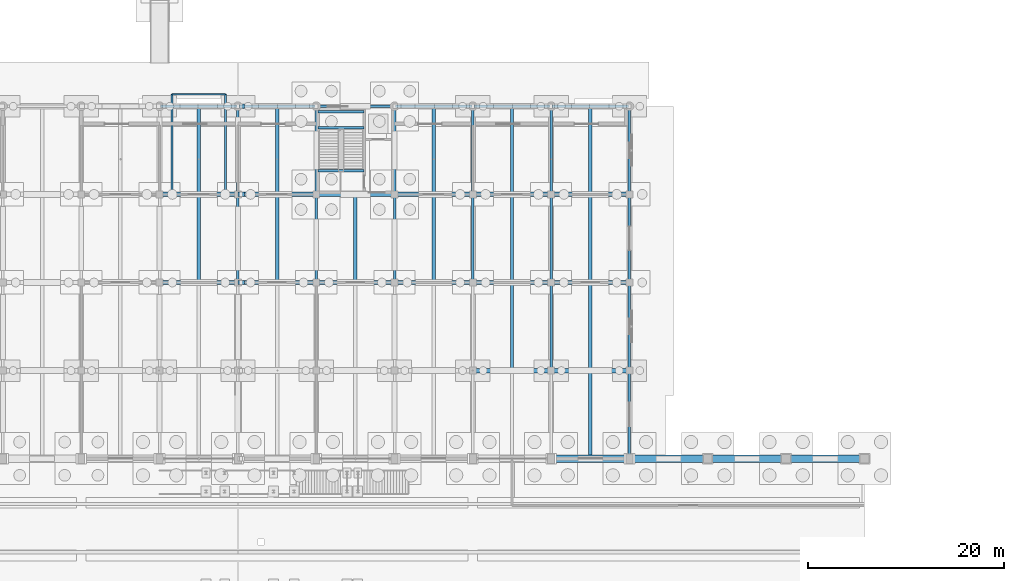
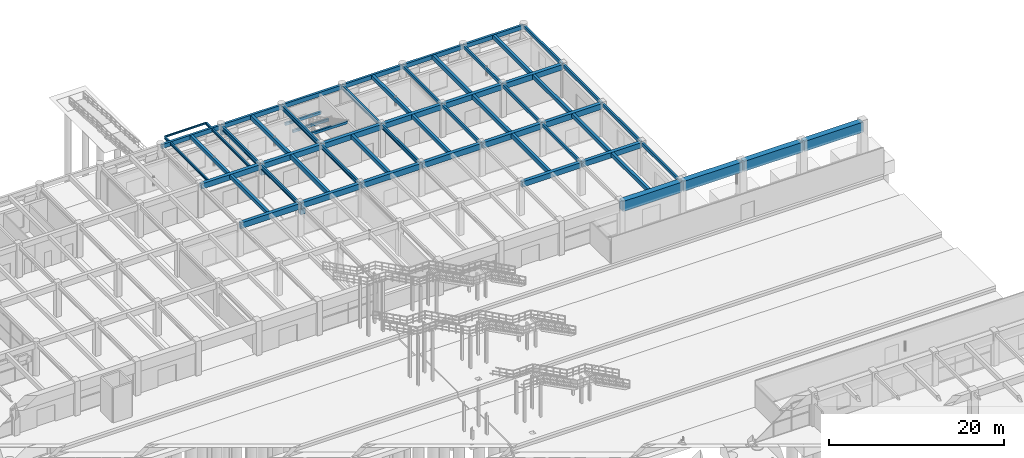
# One storey, part 90 of 147: 62 beams.
"""IFC4 building model written with IfcOpenShell, lengths in metres."""

from ifc_helpers import new_model, si_unit, direction, frame, origin, origin_2d, place, context, subcontext, project, spatial, rectangle, i_section, extrude, material, material_profile, profile_set, type_object, element, save


model = new_model("IFC4")

# Units and contexts
model_context = context("Model", 3, precision=1e-05, world=origin(), true_north=direction((0.0, 1.0)))
body_context = subcontext(model_context, "Body", "Model", "MODEL_VIEW")
ifc_project = project(units=[si_unit("LENGTHUNIT", "METRE"), si_unit("AREAUNIT", "SQUARE_METRE"), si_unit("VOLUMEUNIT", "CUBIC_METRE"), si_unit("PLANEANGLEUNIT", "RADIAN"), si_unit("MASSUNIT", "GRAM", prefix="KILO")], contexts=[model_context])

# Site, building, storey
site_placement = place(None, origin())
site = spatial("IfcSite", under=ifc_project, at=site_placement, CompositionType="ELEMENT")
building_placement = place(site_placement, origin())
building = spatial("IfcBuilding", under=site, at=building_placement, Name="Varnabhumi Central Station", CompositionType="ELEMENT")
storey_placement = place(building_placement, origin())
storey = spatial("IfcBuildingStorey", under=building, at=storey_placement, Name="L00", CompositionType="ELEMENT", Elevation=0.0)

# Beams
ifc_material_1 = material(Name="Structural steel E350", Category="steel")
ifc_material_profile_1 = material_profile(ifc_material_1, i_section(OverallWidth=0.125, OverallDepth=0.25, WebThickness=0.0068359375, FlangeThickness=0.012451171875, FilletRadius=0.012939453125, at=origin_2d()), Name="Structural steel E350", Category="steel")
ifc_profile_set_1 = profile_set([ifc_material_profile_1], Name="Structural steel E350")
beam_type_1 = type_object("IfcBeamType", Name="BM-PUR-ISMB250", PredefinedType="JOIST", material=ifc_profile_set_1)
beam_1_placement = place(storey_placement, frame((113.25, 117.219970703125, 4.425048828125), z_axis=(1.0, 0.0, 0.0), x_axis=(0.0, 1.0, 0.0)))
element("IfcBeam", 1, at=beam_1_placement, inside=storey, type_object=beam_type_1, Name="Spanish Balcony Fascia Beam L01-8", PredefinedType="JOIST", context=body_context, shape_type="SweptSolid", body=[
    extrude(i_section(OverallWidth=0.125, OverallDepth=0.25, WebThickness=0.0068359375, FlangeThickness=0.012451171875, FilletRadius=0.012939453125, at=origin_2d()), origin(), (0.0, 0.0, 1.0), 5.5),
])
ifc_material_2 = material(Name="Concrete M50", Category="concrete")
ifc_material_profile_2 = material_profile(ifc_material_2, rectangle(XDim=0.75, YDim=1.39990234375, at=origin_2d()), Name="Concrete M50", Category="concrete")
ifc_profile_set_2 = profile_set([ifc_material_profile_2], Name="Concrete M50")
beam_type_2 = type_object("IfcBeamType", Name="BM-RC-1400x750", PredefinedType="BEAM", material=ifc_profile_set_2)
for number, where, z_axis, x_axis, name in (
    (2, (152.10009765625, 80.0, 3.85009765625), (1.0, 0.0, 0.0), (0.0, 1.0, 0.0), "Beam L00-K:20-21"),
    (3, (160.10009765625, 80.0, 3.85009765625), (1.0, 0.0, 0.0), (0.0, 1.0, 0.0), "Beam L00-K:21-22"),
    (4, (168.10009765625, 80.0, 3.85009765625), (1.0, 0.0, 0.0), (0.0, 1.0, 0.0), "Beam L00-K:22-23"),
    (5, (176.10009765625, 80.0, 3.85009765625), (1.0, 0.0, 0.0), (0.0, 1.0, 0.0), "Beam L00-K:23-24"),
):
    element("IfcBeam", number, at=place(storey_placement, frame(where, z_axis=z_axis, x_axis=x_axis)), inside=storey, type_object=beam_type_2, Name=name, PredefinedType="BEAM", context=body_context, shape_type="SweptSolid", body=[
        extrude(rectangle(XDim=0.75, YDim=1.39990234375, at=origin_2d()), origin(), (0.0, 0.0, 1.0), 7.7998046875),
    ])
ifc_material_3 = material(Name="Concrete M35", Category="concrete")
ifc_material_profile_3 = material_profile(ifc_material_3, rectangle(XDim=0.25, YDim=0.35009765625, at=origin_2d()), Name="Concrete M35", Category="concrete")
ifc_profile_set_3 = profile_set([ifc_material_profile_3], Name="Concrete M35")
beam_type_3 = type_object("IfcBeamType", Name="BM-RC-250x350", PredefinedType="LINTEL", material=ifc_profile_set_3)
for number, where, z_axis, x_axis, name in (
    (6, (128.179931640625, 113.794921875, 2.044921875), (1.0, 0.0, 0.0), (0.0, 1.0, 0.0), "ST-N3 L00 Half Landing Support Beam 1"),
    (7, (128.179931640625, 115.4599609375, 2.044921875), (1.0, 0.0, 0.0), (0.0, 1.0, 0.0), "ST-N3 L00 Half Landing Support Beam 2"),
    (8, (128.179931640625, 109.419921875, 4.375), (1.0, 0.0, 0.0), (0.0, 1.0, 0.0), "ST-N3 L00 Floor Opening Trimmer Beam"),
):
    element("IfcBeam", number, at=place(storey_placement, frame(where, z_axis=z_axis, x_axis=x_axis)), inside=storey, type_object=beam_type_3, Name=name, PredefinedType="LINTEL", context=body_context, shape_type="SweptSolid", body=[
        extrude(rectangle(XDim=0.25, YDim=0.35009765625, at=origin_2d()), origin(), (0.0, 0.0, 1.0), 4.719970703125),
    ])
ifc_material_profile_4 = material_profile(ifc_material_3, rectangle(XDim=0.25, YDim=0.449951171875, at=origin_2d()), Name="Concrete M35", Category="concrete")
ifc_profile_set_4 = profile_set([ifc_material_profile_4], Name="Concrete M35")
beam_type_4 = type_object("IfcBeamType", Name="BM-RC-250x450", PredefinedType="LINTEL", material=ifc_profile_set_4)
for number, where, z_axis, x_axis, name in (
    (9, (160.0, 80.10009765625, 4.324951171875), (0.0, 1.0, 0.0), (-1.0, 0.0, 0.0), "Beam L00-21:K-L"),
    (10, (152.0, 89.10009765625, 4.324951171875), (0.0, 1.0, 0.0), (-1.0, 0.0, 0.0), "Beam L00-20:L-M"),
    (11, (160.0, 89.10009765625, 4.324951171875), (0.0, 1.0, 0.0), (-1.0, 0.0, 0.0), "Beam L00-21:L-M"),
    (12, (144.0, 98.10009765625, 4.324951171875), (0.0, 1.0, 0.0), (-1.0, 0.0, 0.0), "Beam L00-19:M-N"),
    (13, (152.0, 98.10009765625, 4.324951171875), (0.0, 1.0, 0.0), (-1.0, 0.0, 0.0), "Beam L00-20:M-N"),
    (14, (160.0, 98.10009765625, 4.324951171875), (0.0, 1.0, 0.0), (-1.0, 0.0, 0.0), "Beam L00-21:M-N"),
    (15, (144.0, 107.10009765625, 4.324951171875), (0.0, 1.0, 0.0), (-1.0, 0.0, 0.0), "Beam L00-19:N-P"),
    (16, (152.0, 107.10009765625, 4.324951171875), (0.0, 1.0, 0.0), (-1.0, 0.0, 0.0), "Beam L00-20:N-P"),
    (17, (160.0, 107.10009765625, 4.324951171875), (0.0, 1.0, 0.0), (-1.0, 0.0, 0.0), "Beam L00-21:N-P"),
):
    element("IfcBeam", number, at=place(storey_placement, frame(where, z_axis=z_axis, x_axis=x_axis)), inside=storey, type_object=beam_type_4, Name=name, PredefinedType="LINTEL", context=body_context, shape_type="SweptSolid", body=[
        extrude(rectangle(XDim=0.25, YDim=0.449951171875, at=origin_2d()), origin(), (0.0, 0.0, 1.0), 8.7998046875),
    ])
ifc_material_4 = material(Name="Concrete M40", Category="concrete")
ifc_material_profile_5 = material_profile(ifc_material_4, rectangle(XDim=0.300048828125, YDim=0.60009765625, at=origin_2d()), Name="Concrete M40", Category="concrete")
ifc_profile_set_5 = profile_set([ifc_material_profile_5], Name="Concrete M40")
beam_type_5 = type_object("IfcBeamType", Name="BM-RC-300x600", PredefinedType="SPANDREL", material=ifc_profile_set_5)
for number, where, z_axis, x_axis, name in (
    (18, (112.10009765625, 116.0, 4.25), (1.0, 0.0, 0.0), (0.0, 1.0, 0.0), "Beam L00-P:15-16"),
    (19, (120.10009765625, 116.0, 4.25), (1.0, 0.0, 0.0), (0.0, 1.0, 0.0), "Beam L00-P:16-17"),
    (20, (128.10009765625, 116.0, 4.25), (1.0, 0.0, 0.0), (0.0, 1.0, 0.0), "Beam L00-P:17-18"),
    (21, (136.10009765625, 116.0, 4.25), (1.0, 0.0, 0.0), (0.0, 1.0, 0.0), "Beam L00-P:18-19"),
    (22, (144.10009765625, 116.0, 4.25), (1.0, 0.0, 0.0), (0.0, 1.0, 0.0), "Beam L00-P:19-20"),
    (23, (152.10009765625, 116.0, 4.25), (1.0, 0.0, 0.0), (0.0, 1.0, 0.0), "Beam L00-P:20-21"),
):
    element("IfcBeam", number, at=place(storey_placement, frame(where, z_axis=z_axis, x_axis=x_axis)), inside=storey, type_object=beam_type_5, Name=name, PredefinedType="SPANDREL", context=body_context, shape_type="SweptSolid", body=[
        extrude(rectangle(XDim=0.300048828125, YDim=0.60009765625, at=origin_2d()), origin(), (0.0, 0.0, 1.0), 7.7998046875),
    ])
ifc_material_profile_6 = material_profile(ifc_material_4, rectangle(XDim=0.35009765625, YDim=0.5, at=origin_2d()), Name="Concrete M40", Category="concrete")
ifc_profile_set_6 = profile_set([ifc_material_profile_6], Name="Concrete M40")
beam_type_6 = type_object("IfcBeamType", Name="BM-RC-350x500", PredefinedType="JOIST", material=ifc_profile_set_6)
for number, where, z_axis, x_axis, name in (
    (24, (116.0, 98.22509765625, 4.300048828125), (0.0, 1.0, 0.0), (-1.0, 0.0, 0.0), "Secondary Joist L00-15/16:M-N"),
    (25, (140.0, 98.22509765625, 4.300048828125), (0.0, 1.0, 0.0), (-1.0, 0.0, 0.0), "Secondary Joist L00-18/19:M-N"),
):
    element("IfcBeam", number, at=place(storey_placement, frame(where, z_axis=z_axis, x_axis=x_axis)), inside=storey, type_object=beam_type_6, Name=name, PredefinedType="JOIST", context=body_context, shape_type="SweptSolid", body=[
        extrude(rectangle(XDim=0.35009765625, YDim=0.5, at=origin_2d()), origin(), (0.0, 0.0, 1.0), 8.5498046875),
    ])
for number, where, z_axis, x_axis, name in (
    (26, (116.0, 107.22509765625, 4.300048828125), (0.0, 1.0, 0.0), (-1.0, 0.0, 0.0), "Secondary Joist L00-15/16:N-P"),
    (27, (140.0, 107.22509765625, 4.300048828125), (0.0, 1.0, 0.0), (-1.0, 0.0, 0.0), "Secondary Joist L00-18/19:N-P"),
):
    element("IfcBeam", number, at=place(storey_placement, frame(where, z_axis=z_axis, x_axis=x_axis)), inside=storey, type_object=beam_type_6, Name=name, PredefinedType="JOIST", context=body_context, shape_type="SweptSolid", body=[
        extrude(rectangle(XDim=0.35009765625, YDim=0.5, at=origin_2d()), origin(), (0.0, 0.0, 1.0), 8.625),
    ])
ifc_material_profile_7 = material_profile(ifc_material_4, rectangle(XDim=0.35009765625, YDim=0.550048828125, at=origin_2d()), Name="Concrete M40", Category="concrete")
ifc_profile_set_7 = profile_set([ifc_material_profile_7], Name="Concrete M40")
beam_type_7 = type_object("IfcBeamType", Name="BM-RC-350x550", PredefinedType="JOIST", material=ifc_profile_set_7)
beam_2_placement = place(storey_placement, frame((156.0, 80.375, 4.27490234375), z_axis=(0.0, 1.0, 0.0), x_axis=(-1.0, 0.0, 0.0)))
element("IfcBeam", 28, at=beam_2_placement, inside=storey, type_object=beam_type_7, Name="Secondary Joist L00-20/21:K-L", PredefinedType="JOIST", context=body_context, shape_type="SweptSolid", body=[
    extrude(rectangle(XDim=0.35009765625, YDim=0.550048828125, at=origin_2d()), origin(), (0.0, 0.0, 1.0), 8.39990234375),
])
for number, where, z_axis, x_axis, name in (
    (29, (156.0, 89.22509765625, 4.27490234375), (0.0, 1.0, 0.0), (-1.0, 0.0, 0.0), "Secondary Joist L00-20/21:L-M"),
    (30, (132.0, 98.22509765625, 4.27490234375), (0.0, 1.0, 0.0), (-1.0, 0.0, 0.0), "Secondary Joist L00-17/18:M-N"),
    (31, (156.0, 98.22509765625, 4.27490234375), (0.0, 1.0, 0.0), (-1.0, 0.0, 0.0), "Secondary Joist L00-20/21:M-N"),
):
    element("IfcBeam", number, at=place(storey_placement, frame(where, z_axis=z_axis, x_axis=x_axis)), inside=storey, type_object=beam_type_7, Name=name, PredefinedType="JOIST", context=body_context, shape_type="SweptSolid", body=[
        extrude(rectangle(XDim=0.35009765625, YDim=0.550048828125, at=origin_2d()), origin(), (0.0, 0.0, 1.0), 8.5498046875),
    ])
beam_3_placement = place(storey_placement, frame((156.0, 107.22509765625, 4.27490234375), z_axis=(0.0, 1.0, 0.0), x_axis=(-1.0, 0.0, 0.0)))
element("IfcBeam", 32, at=beam_3_placement, inside=storey, type_object=beam_type_7, Name="Secondary Joist L00-20/21:N-P", PredefinedType="JOIST", context=body_context, shape_type="SweptSolid", body=[
    extrude(rectangle(XDim=0.35009765625, YDim=0.550048828125, at=origin_2d()), origin(), (0.0, 0.0, 1.0), 8.625),
])
ifc_material_profile_8 = material_profile(ifc_material_4, rectangle(XDim=0.449951171875, YDim=0.75, at=origin_2d()), Name="Concrete M40", Category="concrete")
ifc_profile_set_8 = profile_set([ifc_material_profile_8], Name="Concrete M40")
beam_type_8 = type_object("IfcBeamType", Name="BM-RC-450x750", PredefinedType="BEAM", material=ifc_profile_set_8)
beam_4_placement = place(storey_placement, frame((112.10009765625, 107.0, 4.175048828125), z_axis=(1.0, 0.0, 0.0), x_axis=(0.0, 1.0, 0.0)))
element("IfcBeam", 33, at=beam_4_placement, inside=storey, type_object=beam_type_8, Name="Beam L00-N:15-16", PredefinedType="BEAM", context=body_context, shape_type="SweptSolid", body=[
    extrude(rectangle(XDim=0.449951171875, YDim=0.75, at=origin_2d()), origin(), (0.0, 0.0, 1.0), 7.7998046875),
])
beam_5_placement = place(storey_placement, frame((120.0, 98.0, 3.294921875), z_axis=(1.0, 0.0, 0.0), x_axis=(0.0, 1.0, 0.0)))
element("IfcBeam", 34, at=beam_5_placement, inside=storey, type_object=beam_type_8, Name="Movement Joint 650mm Corbel Seat L00-M-16", PredefinedType="BEAM", context=body_context, shape_type="SweptSolid", body=[
    extrude(rectangle(XDim=0.449951171875, YDim=0.75, at=origin_2d()), origin(), (0.0, 0.0, 1.0), 0.64990234375),
])
beam_6_placement = place(storey_placement, frame((120.10009765625, 107.0, 4.175048828125), z_axis=(1.0, 0.0, 0.0), x_axis=(0.0, 1.0, 0.0)))
element("IfcBeam", 35, at=beam_6_placement, inside=storey, type_object=beam_type_8, Name="Beam L00-N:16-17", PredefinedType="BEAM", context=body_context, shape_type="SweptSolid", body=[
    extrude(rectangle(XDim=0.449951171875, YDim=0.75, at=origin_2d()), origin(), (0.0, 0.0, 1.0), 7.7998046875),
])
for number, where, z_axis, x_axis, name in (
    (36, (120.0, 107.0, 3.344970703125), (1.0, 0.0, 0.0), (0.0, 1.0, 0.0), "Movement Joint 650mm Corbel Seat L00-N-16"),
    (37, (120.0, 116.0, 3.4951171875), (1.0, 0.0, 0.0), (0.0, 1.0, 0.0), "Movement Joint 650mm Corbel Seat L00-P-16"),
):
    element("IfcBeam", number, at=place(storey_placement, frame(where, z_axis=z_axis, x_axis=x_axis)), inside=storey, type_object=beam_type_8, Name=name, PredefinedType="BEAM", context=body_context, shape_type="SweptSolid", body=[
        extrude(rectangle(XDim=0.449951171875, YDim=0.75, at=origin_2d()), origin(), (0.0, 0.0, 1.0), 0.64990234375),
    ])
for number, where, z_axis, x_axis, name in (
    (38, (128.10009765625, 107.0, 4.175048828125), (1.0, 0.0, 0.0), (0.0, 1.0, 0.0), "Beam L00-N:17-18"),
    (39, (136.10009765625, 107.0, 4.175048828125), (1.0, 0.0, 0.0), (0.0, 1.0, 0.0), "Beam L00-N:18-19"),
    (40, (144.10009765625, 89.0, 4.175048828125), (1.0, 0.0, 0.0), (0.0, 1.0, 0.0), "Beam L00-L:19-20"),
    (41, (144.10009765625, 107.0, 4.175048828125), (1.0, 0.0, 0.0), (0.0, 1.0, 0.0), "Beam L00-N:19-20"),
    (42, (152.10009765625, 89.0, 4.175048828125), (1.0, 0.0, 0.0), (0.0, 1.0, 0.0), "Beam L00-L:20-21"),
    (43, (152.10009765625, 107.0, 4.175048828125), (1.0, 0.0, 0.0), (0.0, 1.0, 0.0), "Beam L00-N:20-21"),
):
    element("IfcBeam", number, at=place(storey_placement, frame(where, z_axis=z_axis, x_axis=x_axis)), inside=storey, type_object=beam_type_8, Name=name, PredefinedType="BEAM", context=body_context, shape_type="SweptSolid", body=[
        extrude(rectangle(XDim=0.449951171875, YDim=0.75, at=origin_2d()), origin(), (0.0, 0.0, 1.0), 7.7998046875),
    ])
ifc_material_profile_9 = material_profile(ifc_material_4, rectangle(XDim=0.35009765625, YDim=0.60009765625, at=origin_2d()), Name="Concrete M40", Category="concrete")
ifc_profile_set_9 = profile_set([ifc_material_profile_9], Name="Concrete M40")
beam_type_9 = type_object("IfcBeamType", Name="BM-RC-600x350", PredefinedType="JOIST", material=ifc_profile_set_9)
for number, where, z_axis, x_axis, name in (
    (44, (148.0, 89.22509765625, 4.25), (0.0, 1.0, 0.0), (-1.0, 0.0, 0.0), "Secondary Joist L00-19/20:L-M"),
    (45, (124.0, 98.22509765625, 4.25), (0.0, 1.0, 0.0), (-1.0, 0.0, 0.0), "Secondary Joist L00-16/17:M-N"),
    (46, (148.0, 98.22509765625, 4.25), (0.0, 1.0, 0.0), (-1.0, 0.0, 0.0), "Secondary Joist L00-19/20:M-N"),
):
    element("IfcBeam", number, at=place(storey_placement, frame(where, z_axis=z_axis, x_axis=x_axis)), inside=storey, type_object=beam_type_9, Name=name, PredefinedType="JOIST", context=body_context, shape_type="SweptSolid", body=[
        extrude(rectangle(XDim=0.35009765625, YDim=0.60009765625, at=origin_2d()), origin(), (0.0, 0.0, 1.0), 8.5498046875),
    ])
for number, where, z_axis, x_axis, name in (
    (47, (124.0, 107.22509765625, 4.25), (0.0, 1.0, 0.0), (-1.0, 0.0, 0.0), "Secondary Joist L00-16/17:N-P"),
    (48, (148.0, 107.22509765625, 4.25), (0.0, 1.0, 0.0), (-1.0, 0.0, 0.0), "Secondary Joist L00-19/20:N-P"),
):
    element("IfcBeam", number, at=place(storey_placement, frame(where, z_axis=z_axis, x_axis=x_axis)), inside=storey, type_object=beam_type_9, Name=name, PredefinedType="JOIST", context=body_context, shape_type="SweptSolid", body=[
        extrude(rectangle(XDim=0.35009765625, YDim=0.60009765625, at=origin_2d()), origin(), (0.0, 0.0, 1.0), 8.625),
    ])
ifc_material_profile_10 = material_profile(ifc_material_4, rectangle(XDim=0.449951171875, YDim=0.800048828125, at=origin_2d()), Name="Concrete M40", Category="concrete")
ifc_profile_set_10 = profile_set([ifc_material_profile_10], Name="Concrete M40")
beam_type_10 = type_object("IfcBeamType", Name="BM-RC-800x450", PredefinedType="BEAM", material=ifc_profile_set_10)
for number, where, z_axis, x_axis, name in (
    (49, (112.10009765625, 98.0, 4.14990234375), (1.0, 0.0, 0.0), (0.0, 1.0, 0.0), "Beam L00-M:15-16"),
    (50, (120.10009765625, 98.0, 4.14990234375), (1.0, 0.0, 0.0), (0.0, 1.0, 0.0), "Beam L00-M:16-17"),
    (51, (128.10009765625, 98.0, 4.14990234375), (1.0, 0.0, 0.0), (0.0, 1.0, 0.0), "Beam L00-M:17-18"),
    (52, (136.10009765625, 98.0, 4.14990234375), (1.0, 0.0, 0.0), (0.0, 1.0, 0.0), "Beam L00-M:18-19"),
    (53, (144.10009765625, 98.0, 4.14990234375), (1.0, 0.0, 0.0), (0.0, 1.0, 0.0), "Beam L00-M:19-20"),
    (54, (152.10009765625, 98.0, 4.14990234375), (1.0, 0.0, 0.0), (0.0, 1.0, 0.0), "Beam L00-M:20-21"),
):
    element("IfcBeam", number, at=place(storey_placement, frame(where, z_axis=z_axis, x_axis=x_axis)), inside=storey, type_object=beam_type_10, Name=name, PredefinedType="BEAM", context=body_context, shape_type="SweptSolid", body=[
        extrude(rectangle(XDim=0.449951171875, YDim=0.800048828125, at=origin_2d()), origin(), (0.0, 0.0, 1.0), 7.7998046875),
    ])
ifc_material_profile_11 = material_profile(ifc_material_1, i_section(OverallWidth=0.25, OverallDepth=0.60009765625, WebThickness=0.01171875, FlangeThickness=0.023681640625, FilletRadius=0.01708984375, at=origin_2d()), Name="Structural steel E350", Category="steel")
ifc_profile_set_11 = profile_set([ifc_material_profile_11], Name="Structural steel E350")
beam_type_11 = type_object("IfcBeamType", Name="BM-SEC-ISWB600", PredefinedType="BEAM", material=ifc_profile_set_11)
for number, where, z_axis, x_axis, name in (
    (55, (120.0, 98.10009765625, 4.25), (0.0, 1.0, 0.0), (-1.0, 0.0, 0.0), "Beam L00-16:M-N"),
    (56, (128.0, 98.10009765625, 4.25), (0.0, 1.0, 0.0), (-1.0, 0.0, 0.0), "Beam L00-17:M-N"),
    (57, (136.0, 98.10009765625, 4.25), (0.0, 1.0, 0.0), (-1.0, 0.0, 0.0), "Beam L00-18:M-N"),
    (58, (120.0, 107.10009765625, 4.25), (0.0, 1.0, 0.0), (-1.0, 0.0, 0.0), "Beam L00-16:N-P"),
    (59, (128.0, 107.10009765625, 4.25), (0.0, 1.0, 0.0), (-1.0, 0.0, 0.0), "Beam L00-17:N-P"),
    (60, (136.0, 107.10009765625, 4.25), (0.0, 1.0, 0.0), (-1.0, 0.0, 0.0), "Beam L00-18:N-P"),
):
    element("IfcBeam", number, at=place(storey_placement, frame(where, z_axis=z_axis, x_axis=x_axis)), inside=storey, type_object=beam_type_11, Name=name, PredefinedType="BEAM", context=body_context, shape_type="SweptSolid", body=[
        extrude(i_section(OverallWidth=0.25, OverallDepth=0.60009765625, WebThickness=0.01171875, FlangeThickness=0.023681640625, FilletRadius=0.01708984375, at=origin_2d()), origin(), (0.0, 0.0, 1.0), 8.7998046875),
    ])
ifc_material_profile_12 = material_profile(ifc_material_1, i_section(OverallWidth=0.199951171875, OverallDepth=0.35009765625, WebThickness=0.008056640625, FlangeThickness=0.011474609375, FilletRadius=0.011962890625, at=origin_2d()), Name="Structural steel E350", Category="steel")
ifc_profile_set_12 = profile_set([ifc_material_profile_12], Name="Structural steel E350")
beam_type_12 = type_object("IfcBeamType", Name="BM-STL-ISWB350", PredefinedType="JOIST", material=ifc_profile_set_12)
for number, where, z_axis, x_axis, name in (
    (61, (113.25, 107.0, 4.375), (0.0, 1.0, 0.0), (-1.0, 0.0, 0.0), "Spanish Balcony Cantilever Outrigger L01-8-1"),
    (62, (118.75, 107.0, 4.375), (0.0, 1.0, 0.0), (-1.0, 0.0, 0.0), "Spanish Balcony Cantilever Outrigger L01-8-2"),
):
    element("IfcBeam", number, at=place(storey_placement, frame(where, z_axis=z_axis, x_axis=x_axis)), inside=storey, type_object=beam_type_12, Name=name, PredefinedType="JOIST", context=body_context, shape_type="SweptSolid", body=[
        extrude(i_section(OverallWidth=0.199951171875, OverallDepth=0.35009765625, WebThickness=0.008056640625, FlangeThickness=0.011474609375, FilletRadius=0.011962890625, at=origin_2d()), origin(), (0.0, 0.0, 1.0), 10.25),
    ])

save(model, "model.ifc")
